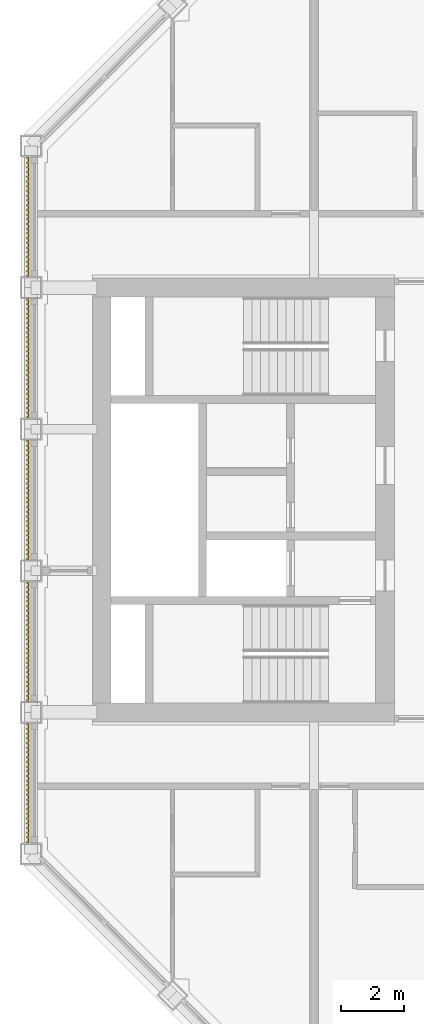
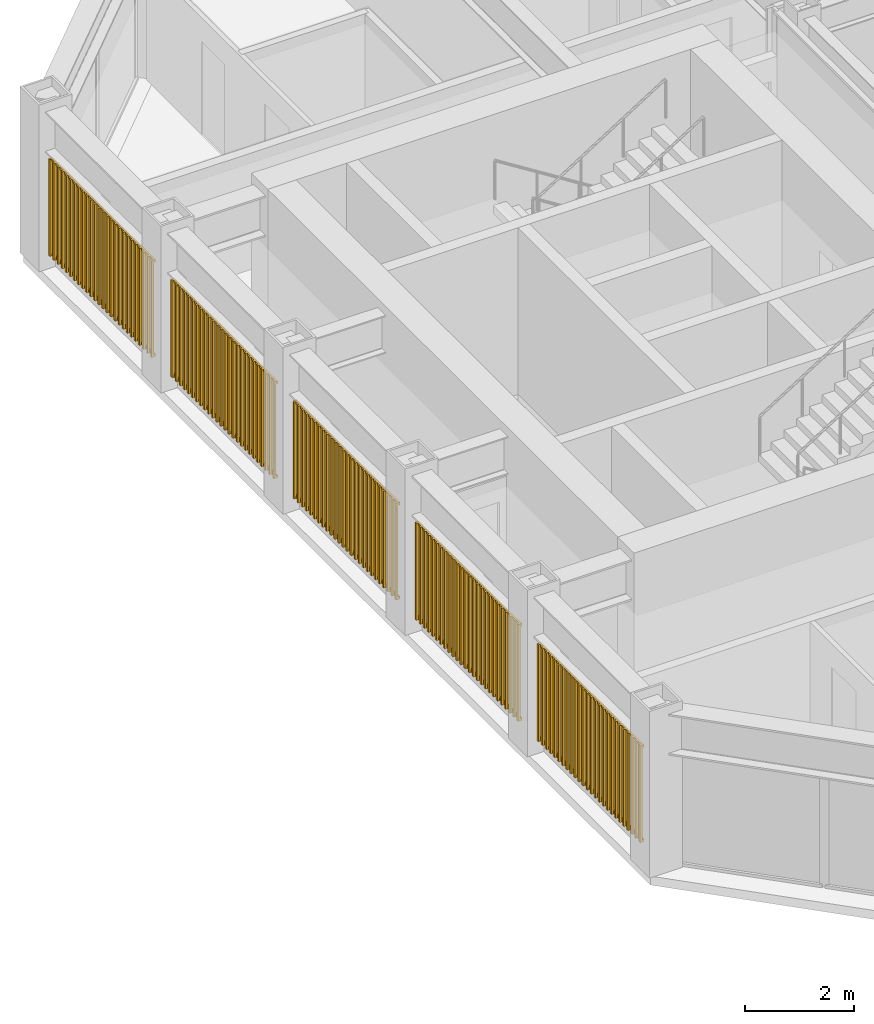
# One storey, part 15 of 18: 1 shading device.
"""IFC4 building model written with IfcOpenShell, lengths in metres."""

from ifc_helpers import new_model, si_unit, direction, frame, origin, origin_2d, place, context, subcontext, project, spatial, rectangle, extrude, material, type_object, element, save


model = new_model("IFC4")

# Units and contexts
model_context = context("Model", 3, precision=1e-05, world=origin(), true_north=direction((0.0, 1.0)))
body_context = subcontext(model_context, "Body", "Model", "MODEL_VIEW")
ifc_project = project(units=[si_unit("LENGTHUNIT", "METRE"), si_unit("AREAUNIT", "SQUARE_METRE"), si_unit("VOLUMEUNIT", "CUBIC_METRE"), si_unit("PLANEANGLEUNIT", "RADIAN"), si_unit("MASSUNIT", "GRAM", prefix="KILO")], contexts=[model_context])

# Site, building, storey
site_placement = place(None, origin())
site = spatial("IfcSite", under=ifc_project, at=site_placement, CompositionType="ELEMENT")
building_placement = place(site_placement, origin())
building = spatial("IfcBuilding", under=site, at=building_placement, Name="Msasa Ring Tower", CompositionType="ELEMENT")
storey_placement = place(building_placement, frame((0.0, 0.0, 208.300048828125)))
storey = spatial("IfcBuildingStorey", under=building, at=storey_placement, Name="L54", CompositionType="ELEMENT", Elevation=208.300048828125)

# Shading device
ifc_material = material(Name="Extruded terracotta on aluminium carriers", Category="masonry")
shading_device_type = type_object("IfcShadingDeviceType", Name="BS1 TERRACOTTA BAGUETTE SCREEN 50x50 AT 150", PredefinedType="USERDEFINED", material=ifc_material)
shading_device_placement = place(storey_placement, origin())
element("IfcShadingDevice", 1, at=shading_device_placement, inside=storey, type_object=shading_device_type, Name="Terracotta baguette screen W L54", ObjectType="BAGUETTE", PredefinedType="USERDEFINED", context=body_context, shape_type="SweptSolid", body=[
    extrude(rectangle(XDim=0.06005859375, YDim=0.0400390625, at=origin_2d()), frame((-20.330078125, -10.89990234375, 0.329833984375), z_axis=(0.0, 1.0, 0.0), x_axis=(0.0, 0.0, 1.0)), (0.0, 0.0, 1.0), 3.800048828125),
    extrude(rectangle(XDim=0.06005859375, YDim=0.0400390625, at=origin_2d()), frame((-20.330078125, -10.89990234375, 2.448974609375), z_axis=(0.0, 1.0, 0.0), x_axis=(0.0, 0.0, 1.0)), (0.0, 0.0, 1.0), 3.800048828125),
    extrude(rectangle(XDim=0.050048828125, YDim=0.050048828125, at=origin_2d()), frame((-20.3701171875, -10.875, 0.300048828125), z_axis=(0.0, 0.0, 1.0), x_axis=(0.0, 1.0, 0.0)), (0.0, 0.0, 1.0), 2.178955078125),
    extrude(rectangle(XDim=0.050048828125, YDim=0.050048828125, at=origin_2d()), frame((-20.3701171875, -10.72509765625, 0.300048828125), z_axis=(0.0, 0.0, 1.0), x_axis=(0.0, 1.0, 0.0)), (0.0, 0.0, 1.0), 2.178955078125),
    extrude(rectangle(XDim=0.050048828125, YDim=0.050048828125, at=origin_2d()), frame((-20.3701171875, -10.574951171875, 0.300048828125), z_axis=(0.0, 0.0, 1.0), x_axis=(0.0, 1.0, 0.0)), (0.0, 0.0, 1.0), 2.178955078125),
    extrude(rectangle(XDim=0.050048828125, YDim=0.050048828125, at=origin_2d()), frame((-20.3701171875, -10.425048828125, 0.300048828125), z_axis=(0.0, 0.0, 1.0), x_axis=(0.0, 1.0, 0.0)), (0.0, 0.0, 1.0), 2.178955078125),
    extrude(rectangle(XDim=0.050048828125, YDim=0.050048828125, at=origin_2d()), frame((-20.3701171875, -10.27490234375, 0.300048828125), z_axis=(0.0, 0.0, 1.0), x_axis=(0.0, 1.0, 0.0)), (0.0, 0.0, 1.0), 2.178955078125),
    extrude(rectangle(XDim=0.050048828125, YDim=0.050048828125, at=origin_2d()), frame((-20.3701171875, -10.125, 0.300048828125), z_axis=(0.0, 0.0, 1.0), x_axis=(0.0, 1.0, 0.0)), (0.0, 0.0, 1.0), 2.178955078125),
    extrude(rectangle(XDim=0.050048828125, YDim=0.050048828125, at=origin_2d()), frame((-20.3701171875, -9.97509765625, 0.300048828125), z_axis=(0.0, 0.0, 1.0), x_axis=(0.0, 1.0, 0.0)), (0.0, 0.0, 1.0), 2.178955078125),
    extrude(rectangle(XDim=0.050048828125, YDim=0.050048828125, at=origin_2d()), frame((-20.3701171875, -9.824951171875, 0.300048828125), z_axis=(0.0, 0.0, 1.0), x_axis=(0.0, 1.0, 0.0)), (0.0, 0.0, 1.0), 2.178955078125),
    extrude(rectangle(XDim=0.050048828125, YDim=0.050048828125, at=origin_2d()), frame((-20.3701171875, -9.675048828125, 0.300048828125), z_axis=(0.0, 0.0, 1.0), x_axis=(0.0, 1.0, 0.0)), (0.0, 0.0, 1.0), 2.178955078125),
    extrude(rectangle(XDim=0.050048828125, YDim=0.050048828125, at=origin_2d()), frame((-20.3701171875, -9.52490234375, 0.300048828125), z_axis=(0.0, 0.0, 1.0), x_axis=(0.0, 1.0, 0.0)), (0.0, 0.0, 1.0), 2.178955078125),
    extrude(rectangle(XDim=0.050048828125, YDim=0.050048828125, at=origin_2d()), frame((-20.3701171875, -9.375, 0.300048828125), z_axis=(0.0, 0.0, 1.0), x_axis=(0.0, 1.0, 0.0)), (0.0, 0.0, 1.0), 2.178955078125),
    extrude(rectangle(XDim=0.050048828125, YDim=0.050048828125, at=origin_2d()), frame((-20.3701171875, -9.22509765625, 0.300048828125), z_axis=(0.0, 0.0, 1.0), x_axis=(0.0, 1.0, 0.0)), (0.0, 0.0, 1.0), 2.178955078125),
    extrude(rectangle(XDim=0.050048828125, YDim=0.050048828125, at=origin_2d()), frame((-20.3701171875, -9.074951171875, 0.300048828125), z_axis=(0.0, 0.0, 1.0), x_axis=(0.0, 1.0, 0.0)), (0.0, 0.0, 1.0), 2.178955078125),
    extrude(rectangle(XDim=0.050048828125, YDim=0.050048828125, at=origin_2d()), frame((-20.3701171875, -8.925048828125, 0.300048828125), z_axis=(0.0, 0.0, 1.0), x_axis=(0.0, 1.0, 0.0)), (0.0, 0.0, 1.0), 2.178955078125),
    extrude(rectangle(XDim=0.050048828125, YDim=0.050048828125, at=origin_2d()), frame((-20.3701171875, -8.77490234375, 0.300048828125), z_axis=(0.0, 0.0, 1.0), x_axis=(0.0, 1.0, 0.0)), (0.0, 0.0, 1.0), 2.178955078125),
    extrude(rectangle(XDim=0.050048828125, YDim=0.050048828125, at=origin_2d()), frame((-20.3701171875, -8.625, 0.300048828125), z_axis=(0.0, 0.0, 1.0), x_axis=(0.0, 1.0, 0.0)), (0.0, 0.0, 1.0), 2.178955078125),
    extrude(rectangle(XDim=0.050048828125, YDim=0.050048828125, at=origin_2d()), frame((-20.3701171875, -8.47509765625, 0.300048828125), z_axis=(0.0, 0.0, 1.0), x_axis=(0.0, 1.0, 0.0)), (0.0, 0.0, 1.0), 2.178955078125),
    extrude(rectangle(XDim=0.050048828125, YDim=0.050048828125, at=origin_2d()), frame((-20.3701171875, -8.324951171875, 0.300048828125), z_axis=(0.0, 0.0, 1.0), x_axis=(0.0, 1.0, 0.0)), (0.0, 0.0, 1.0), 2.178955078125),
    extrude(rectangle(XDim=0.050048828125, YDim=0.050048828125, at=origin_2d()), frame((-20.3701171875, -8.175048828125, 0.300048828125), z_axis=(0.0, 0.0, 1.0), x_axis=(0.0, 1.0, 0.0)), (0.0, 0.0, 1.0), 2.178955078125),
    extrude(rectangle(XDim=0.050048828125, YDim=0.050048828125, at=origin_2d()), frame((-20.3701171875, -8.02490234375, 0.300048828125), z_axis=(0.0, 0.0, 1.0), x_axis=(0.0, 1.0, 0.0)), (0.0, 0.0, 1.0), 2.178955078125),
    extrude(rectangle(XDim=0.050048828125, YDim=0.050048828125, at=origin_2d()), frame((-20.3701171875, -7.875, 0.300048828125), z_axis=(0.0, 0.0, 1.0), x_axis=(0.0, 1.0, 0.0)), (0.0, 0.0, 1.0), 2.178955078125),
    extrude(rectangle(XDim=0.050048828125, YDim=0.050048828125, at=origin_2d()), frame((-20.3701171875, -7.72509765625, 0.300048828125), z_axis=(0.0, 0.0, 1.0), x_axis=(0.0, 1.0, 0.0)), (0.0, 0.0, 1.0), 2.178955078125),
    extrude(rectangle(XDim=0.050048828125, YDim=0.050048828125, at=origin_2d()), frame((-20.3701171875, -7.574951171875, 0.300048828125), z_axis=(0.0, 0.0, 1.0), x_axis=(0.0, 1.0, 0.0)), (0.0, 0.0, 1.0), 2.178955078125),
    extrude(rectangle(XDim=0.050048828125, YDim=0.050048828125, at=origin_2d()), frame((-20.3701171875, -7.425048828125, 0.300048828125), z_axis=(0.0, 0.0, 1.0), x_axis=(0.0, 1.0, 0.0)), (0.0, 0.0, 1.0), 2.178955078125),
    extrude(rectangle(XDim=0.050048828125, YDim=0.050048828125, at=origin_2d()), frame((-20.3701171875, -7.27490234375, 0.300048828125), z_axis=(0.0, 0.0, 1.0), x_axis=(0.0, 1.0, 0.0)), (0.0, 0.0, 1.0), 2.178955078125),
    extrude(rectangle(XDim=0.050048828125, YDim=0.050048828125, at=origin_2d()), frame((-20.3701171875, -7.125, 0.300048828125), z_axis=(0.0, 0.0, 1.0), x_axis=(0.0, 1.0, 0.0)), (0.0, 0.0, 1.0), 2.178955078125),
    extrude(rectangle(XDim=0.06005859375, YDim=0.0400390625, at=origin_2d()), frame((-20.330078125, -6.39990234375, 0.329833984375), z_axis=(0.0, 1.0, 0.0), x_axis=(0.0, 0.0, 1.0)), (0.0, 0.0, 1.0), 3.800048828125),
    extrude(rectangle(XDim=0.06005859375, YDim=0.0400390625, at=origin_2d()), frame((-20.330078125, -6.39990234375, 2.448974609375), z_axis=(0.0, 1.0, 0.0), x_axis=(0.0, 0.0, 1.0)), (0.0, 0.0, 1.0), 3.800048828125),
    extrude(rectangle(XDim=0.050048828125, YDim=0.050048828125, at=origin_2d()), frame((-20.3701171875, -6.375, 0.300048828125), z_axis=(0.0, 0.0, 1.0), x_axis=(0.0, 1.0, 0.0)), (0.0, 0.0, 1.0), 2.178955078125),
    extrude(rectangle(XDim=0.050048828125, YDim=0.050048828125, at=origin_2d()), frame((-20.3701171875, -6.22509765625, 0.300048828125), z_axis=(0.0, 0.0, 1.0), x_axis=(0.0, 1.0, 0.0)), (0.0, 0.0, 1.0), 2.178955078125),
    extrude(rectangle(XDim=0.050048828125, YDim=0.050048828125, at=origin_2d()), frame((-20.3701171875, -6.074951171875, 0.300048828125), z_axis=(0.0, 0.0, 1.0), x_axis=(0.0, 1.0, 0.0)), (0.0, 0.0, 1.0), 2.178955078125),
    extrude(rectangle(XDim=0.050048828125, YDim=0.050048828125, at=origin_2d()), frame((-20.3701171875, -5.925048828125, 0.300048828125), z_axis=(0.0, 0.0, 1.0), x_axis=(0.0, 1.0, 0.0)), (0.0, 0.0, 1.0), 2.178955078125),
    extrude(rectangle(XDim=0.050048828125, YDim=0.050048828125, at=origin_2d()), frame((-20.3701171875, -5.77490234375, 0.300048828125), z_axis=(0.0, 0.0, 1.0), x_axis=(0.0, 1.0, 0.0)), (0.0, 0.0, 1.0), 2.178955078125),
    extrude(rectangle(XDim=0.050048828125, YDim=0.050048828125, at=origin_2d()), frame((-20.3701171875, -5.625, 0.300048828125), z_axis=(0.0, 0.0, 1.0), x_axis=(0.0, 1.0, 0.0)), (0.0, 0.0, 1.0), 2.178955078125),
    extrude(rectangle(XDim=0.050048828125, YDim=0.050048828125, at=origin_2d()), frame((-20.3701171875, -5.47509765625, 0.300048828125), z_axis=(0.0, 0.0, 1.0), x_axis=(0.0, 1.0, 0.0)), (0.0, 0.0, 1.0), 2.178955078125),
    extrude(rectangle(XDim=0.050048828125, YDim=0.050048828125, at=origin_2d()), frame((-20.3701171875, -5.324951171875, 0.300048828125), z_axis=(0.0, 0.0, 1.0), x_axis=(0.0, 1.0, 0.0)), (0.0, 0.0, 1.0), 2.178955078125),
    extrude(rectangle(XDim=0.050048828125, YDim=0.050048828125, at=origin_2d()), frame((-20.3701171875, -5.175048828125, 0.300048828125), z_axis=(0.0, 0.0, 1.0), x_axis=(0.0, 1.0, 0.0)), (0.0, 0.0, 1.0), 2.178955078125),
    extrude(rectangle(XDim=0.050048828125, YDim=0.050048828125, at=origin_2d()), frame((-20.3701171875, -5.02490234375, 0.300048828125), z_axis=(0.0, 0.0, 1.0), x_axis=(0.0, 1.0, 0.0)), (0.0, 0.0, 1.0), 2.178955078125),
    extrude(rectangle(XDim=0.050048828125, YDim=0.050048828125, at=origin_2d()), frame((-20.3701171875, -4.875, 0.300048828125), z_axis=(0.0, 0.0, 1.0), x_axis=(0.0, 1.0, 0.0)), (0.0, 0.0, 1.0), 2.178955078125),
    extrude(rectangle(XDim=0.050048828125, YDim=0.050048828125, at=origin_2d()), frame((-20.3701171875, -4.72509765625, 0.300048828125), z_axis=(0.0, 0.0, 1.0), x_axis=(0.0, 1.0, 0.0)), (0.0, 0.0, 1.0), 2.178955078125),
    extrude(rectangle(XDim=0.050048828125, YDim=0.050048828125, at=origin_2d()), frame((-20.3701171875, -4.574951171875, 0.300048828125), z_axis=(0.0, 0.0, 1.0), x_axis=(0.0, 1.0, 0.0)), (0.0, 0.0, 1.0), 2.178955078125),
    extrude(rectangle(XDim=0.050048828125, YDim=0.050048828125, at=origin_2d()), frame((-20.3701171875, -4.425048828125, 0.300048828125), z_axis=(0.0, 0.0, 1.0), x_axis=(0.0, 1.0, 0.0)), (0.0, 0.0, 1.0), 2.178955078125),
    extrude(rectangle(XDim=0.050048828125, YDim=0.050048828125, at=origin_2d()), frame((-20.3701171875, -4.27490234375, 0.300048828125), z_axis=(0.0, 0.0, 1.0), x_axis=(0.0, 1.0, 0.0)), (0.0, 0.0, 1.0), 2.178955078125),
    extrude(rectangle(XDim=0.050048828125, YDim=0.050048828125, at=origin_2d()), frame((-20.3701171875, -4.125, 0.300048828125), z_axis=(0.0, 0.0, 1.0), x_axis=(0.0, 1.0, 0.0)), (0.0, 0.0, 1.0), 2.178955078125),
    extrude(rectangle(XDim=0.050048828125, YDim=0.050048828125, at=origin_2d()), frame((-20.3701171875, -3.97509765625, 0.300048828125), z_axis=(0.0, 0.0, 1.0), x_axis=(0.0, 1.0, 0.0)), (0.0, 0.0, 1.0), 2.178955078125),
    extrude(rectangle(XDim=0.050048828125, YDim=0.050048828125, at=origin_2d()), frame((-20.3701171875, -3.824951171875, 0.300048828125), z_axis=(0.0, 0.0, 1.0), x_axis=(0.0, 1.0, 0.0)), (0.0, 0.0, 1.0), 2.178955078125),
    extrude(rectangle(XDim=0.050048828125, YDim=0.050048828125, at=origin_2d()), frame((-20.3701171875, -3.675048828125, 0.300048828125), z_axis=(0.0, 0.0, 1.0), x_axis=(0.0, 1.0, 0.0)), (0.0, 0.0, 1.0), 2.178955078125),
    extrude(rectangle(XDim=0.050048828125, YDim=0.050048828125, at=origin_2d()), frame((-20.3701171875, -3.52490234375, 0.300048828125), z_axis=(0.0, 0.0, 1.0), x_axis=(0.0, 1.0, 0.0)), (0.0, 0.0, 1.0), 2.178955078125),
    extrude(rectangle(XDim=0.050048828125, YDim=0.050048828125, at=origin_2d()), frame((-20.3701171875, -3.375, 0.300048828125), z_axis=(0.0, 0.0, 1.0), x_axis=(0.0, 1.0, 0.0)), (0.0, 0.0, 1.0), 2.178955078125),
    extrude(rectangle(XDim=0.050048828125, YDim=0.050048828125, at=origin_2d()), frame((-20.3701171875, -3.22509765625, 0.300048828125), z_axis=(0.0, 0.0, 1.0), x_axis=(0.0, 1.0, 0.0)), (0.0, 0.0, 1.0), 2.178955078125),
    extrude(rectangle(XDim=0.050048828125, YDim=0.050048828125, at=origin_2d()), frame((-20.3701171875, -3.074951171875, 0.300048828125), z_axis=(0.0, 0.0, 1.0), x_axis=(0.0, 1.0, 0.0)), (0.0, 0.0, 1.0), 2.178955078125),
    extrude(rectangle(XDim=0.050048828125, YDim=0.050048828125, at=origin_2d()), frame((-20.3701171875, -2.925048828125, 0.300048828125), z_axis=(0.0, 0.0, 1.0), x_axis=(0.0, 1.0, 0.0)), (0.0, 0.0, 1.0), 2.178955078125),
    extrude(rectangle(XDim=0.050048828125, YDim=0.050048828125, at=origin_2d()), frame((-20.3701171875, -2.77490234375, 0.300048828125), z_axis=(0.0, 0.0, 1.0), x_axis=(0.0, 1.0, 0.0)), (0.0, 0.0, 1.0), 2.178955078125),
    extrude(rectangle(XDim=0.050048828125, YDim=0.050048828125, at=origin_2d()), frame((-20.3701171875, -2.625, 0.300048828125), z_axis=(0.0, 0.0, 1.0), x_axis=(0.0, 1.0, 0.0)), (0.0, 0.0, 1.0), 2.178955078125),
    extrude(rectangle(XDim=0.06005859375, YDim=0.0400390625, at=origin_2d()), frame((-20.330078125, -1.89990234375, 0.329833984375), z_axis=(0.0, 1.0, 0.0), x_axis=(0.0, 0.0, 1.0)), (0.0, 0.0, 1.0), 3.800048828125),
    extrude(rectangle(XDim=0.06005859375, YDim=0.0400390625, at=origin_2d()), frame((-20.330078125, -1.89990234375, 2.448974609375), z_axis=(0.0, 1.0, 0.0), x_axis=(0.0, 0.0, 1.0)), (0.0, 0.0, 1.0), 3.800048828125),
    extrude(rectangle(XDim=0.050048828125, YDim=0.050048828125, at=origin_2d()), frame((-20.3701171875, -1.875, 0.300048828125), z_axis=(0.0, 0.0, 1.0), x_axis=(0.0, 1.0, 0.0)), (0.0, 0.0, 1.0), 2.178955078125),
    extrude(rectangle(XDim=0.050048828125, YDim=0.050048828125, at=origin_2d()), frame((-20.3701171875, -1.72509765625, 0.300048828125), z_axis=(0.0, 0.0, 1.0), x_axis=(0.0, 1.0, 0.0)), (0.0, 0.0, 1.0), 2.178955078125),
    extrude(rectangle(XDim=0.050048828125, YDim=0.050048828125, at=origin_2d()), frame((-20.3701171875, -1.574951171875, 0.300048828125), z_axis=(0.0, 0.0, 1.0), x_axis=(0.0, 1.0, 0.0)), (0.0, 0.0, 1.0), 2.178955078125),
    extrude(rectangle(XDim=0.050048828125, YDim=0.050048828125, at=origin_2d()), frame((-20.3701171875, -1.425048828125, 0.300048828125), z_axis=(0.0, 0.0, 1.0), x_axis=(0.0, 1.0, 0.0)), (0.0, 0.0, 1.0), 2.178955078125),
    extrude(rectangle(XDim=0.050048828125, YDim=0.050048828125, at=origin_2d()), frame((-20.3701171875, -1.27490234375, 0.300048828125), z_axis=(0.0, 0.0, 1.0), x_axis=(0.0, 1.0, 0.0)), (0.0, 0.0, 1.0), 2.178955078125),
    extrude(rectangle(XDim=0.050048828125, YDim=0.050048828125, at=origin_2d()), frame((-20.3701171875, -1.125, 0.300048828125), z_axis=(0.0, 0.0, 1.0), x_axis=(0.0, 1.0, 0.0)), (0.0, 0.0, 1.0), 2.178955078125),
    extrude(rectangle(XDim=0.050048828125, YDim=0.050048828125, at=origin_2d()), frame((-20.3701171875, -0.97509765625, 0.300048828125), z_axis=(0.0, 0.0, 1.0), x_axis=(0.0, 1.0, 0.0)), (0.0, 0.0, 1.0), 2.178955078125),
    extrude(rectangle(XDim=0.050048828125, YDim=0.050048828125, at=origin_2d()), frame((-20.3701171875, -0.824951171875, 0.300048828125), z_axis=(0.0, 0.0, 1.0), x_axis=(0.0, 1.0, 0.0)), (0.0, 0.0, 1.0), 2.178955078125),
    extrude(rectangle(XDim=0.050048828125, YDim=0.050048828125, at=origin_2d()), frame((-20.3701171875, -0.675048828125, 0.300048828125), z_axis=(0.0, 0.0, 1.0), x_axis=(0.0, 1.0, 0.0)), (0.0, 0.0, 1.0), 2.178955078125),
    extrude(rectangle(XDim=0.050048828125, YDim=0.050048828125, at=origin_2d()), frame((-20.3701171875, -0.52490234375, 0.300048828125), z_axis=(0.0, 0.0, 1.0), x_axis=(0.0, 1.0, 0.0)), (0.0, 0.0, 1.0), 2.178955078125),
    extrude(rectangle(XDim=0.050048828125, YDim=0.050048828125, at=origin_2d()), frame((-20.3701171875, -0.375, 0.300048828125), z_axis=(0.0, 0.0, 1.0), x_axis=(0.0, 1.0, 0.0)), (0.0, 0.0, 1.0), 2.178955078125),
    extrude(rectangle(XDim=0.050048828125, YDim=0.050048828125, at=origin_2d()), frame((-20.3701171875, -0.22509765625, 0.300048828125), z_axis=(0.0, 0.0, 1.0), x_axis=(0.0, 1.0, 0.0)), (0.0, 0.0, 1.0), 2.178955078125),
    extrude(rectangle(XDim=0.050048828125, YDim=0.050048828125, at=origin_2d()), frame((-20.3701171875, -0.074951171875, 0.300048828125), z_axis=(0.0, 0.0, 1.0), x_axis=(0.0, 1.0, 0.0)), (0.0, 0.0, 1.0), 2.178955078125),
    extrude(rectangle(XDim=0.050048828125, YDim=0.050048828125, at=origin_2d()), frame((-20.3701171875, 0.074951171875, 0.300048828125), z_axis=(0.0, 0.0, 1.0), x_axis=(0.0, 1.0, 0.0)), (0.0, 0.0, 1.0), 2.178955078125),
    extrude(rectangle(XDim=0.050048828125, YDim=0.050048828125, at=origin_2d()), frame((-20.3701171875, 0.22509765625, 0.300048828125), z_axis=(0.0, 0.0, 1.0), x_axis=(0.0, 1.0, 0.0)), (0.0, 0.0, 1.0), 2.178955078125),
    extrude(rectangle(XDim=0.050048828125, YDim=0.050048828125, at=origin_2d()), frame((-20.3701171875, 0.375, 0.300048828125), z_axis=(0.0, 0.0, 1.0), x_axis=(0.0, 1.0, 0.0)), (0.0, 0.0, 1.0), 2.178955078125),
    extrude(rectangle(XDim=0.050048828125, YDim=0.050048828125, at=origin_2d()), frame((-20.3701171875, 0.52490234375, 0.300048828125), z_axis=(0.0, 0.0, 1.0), x_axis=(0.0, 1.0, 0.0)), (0.0, 0.0, 1.0), 2.178955078125),
    extrude(rectangle(XDim=0.050048828125, YDim=0.050048828125, at=origin_2d()), frame((-20.3701171875, 0.675048828125, 0.300048828125), z_axis=(0.0, 0.0, 1.0), x_axis=(0.0, 1.0, 0.0)), (0.0, 0.0, 1.0), 2.178955078125),
    extrude(rectangle(XDim=0.050048828125, YDim=0.050048828125, at=origin_2d()), frame((-20.3701171875, 0.824951171875, 0.300048828125), z_axis=(0.0, 0.0, 1.0), x_axis=(0.0, 1.0, 0.0)), (0.0, 0.0, 1.0), 2.178955078125),
    extrude(rectangle(XDim=0.050048828125, YDim=0.050048828125, at=origin_2d()), frame((-20.3701171875, 0.97509765625, 0.300048828125), z_axis=(0.0, 0.0, 1.0), x_axis=(0.0, 1.0, 0.0)), (0.0, 0.0, 1.0), 2.178955078125),
    extrude(rectangle(XDim=0.050048828125, YDim=0.050048828125, at=origin_2d()), frame((-20.3701171875, 1.125, 0.300048828125), z_axis=(0.0, 0.0, 1.0), x_axis=(0.0, 1.0, 0.0)), (0.0, 0.0, 1.0), 2.178955078125),
    extrude(rectangle(XDim=0.050048828125, YDim=0.050048828125, at=origin_2d()), frame((-20.3701171875, 1.27490234375, 0.300048828125), z_axis=(0.0, 0.0, 1.0), x_axis=(0.0, 1.0, 0.0)), (0.0, 0.0, 1.0), 2.178955078125),
    extrude(rectangle(XDim=0.050048828125, YDim=0.050048828125, at=origin_2d()), frame((-20.3701171875, 1.425048828125, 0.300048828125), z_axis=(0.0, 0.0, 1.0), x_axis=(0.0, 1.0, 0.0)), (0.0, 0.0, 1.0), 2.178955078125),
    extrude(rectangle(XDim=0.050048828125, YDim=0.050048828125, at=origin_2d()), frame((-20.3701171875, 1.574951171875, 0.300048828125), z_axis=(0.0, 0.0, 1.0), x_axis=(0.0, 1.0, 0.0)), (0.0, 0.0, 1.0), 2.178955078125),
    extrude(rectangle(XDim=0.050048828125, YDim=0.050048828125, at=origin_2d()), frame((-20.3701171875, 1.72509765625, 0.300048828125), z_axis=(0.0, 0.0, 1.0), x_axis=(0.0, 1.0, 0.0)), (0.0, 0.0, 1.0), 2.178955078125),
    extrude(rectangle(XDim=0.050048828125, YDim=0.050048828125, at=origin_2d()), frame((-20.3701171875, 1.875, 0.300048828125), z_axis=(0.0, 0.0, 1.0), x_axis=(0.0, 1.0, 0.0)), (0.0, 0.0, 1.0), 2.178955078125),
    extrude(rectangle(XDim=0.06005859375, YDim=0.0400390625, at=origin_2d()), frame((-20.330078125, 2.60009765625, 0.329833984375), z_axis=(0.0, 1.0, 0.0), x_axis=(0.0, 0.0, 1.0)), (0.0, 0.0, 1.0), 3.800048828125),
    extrude(rectangle(XDim=0.06005859375, YDim=0.0400390625, at=origin_2d()), frame((-20.330078125, 2.60009765625, 2.448974609375), z_axis=(0.0, 1.0, 0.0), x_axis=(0.0, 0.0, 1.0)), (0.0, 0.0, 1.0), 3.800048828125),
    extrude(rectangle(XDim=0.050048828125, YDim=0.050048828125, at=origin_2d()), frame((-20.3701171875, 2.625, 0.300048828125), z_axis=(0.0, 0.0, 1.0), x_axis=(0.0, 1.0, 0.0)), (0.0, 0.0, 1.0), 2.178955078125),
    extrude(rectangle(XDim=0.050048828125, YDim=0.050048828125, at=origin_2d()), frame((-20.3701171875, 2.77490234375, 0.300048828125), z_axis=(0.0, 0.0, 1.0), x_axis=(0.0, 1.0, 0.0)), (0.0, 0.0, 1.0), 2.178955078125),
    extrude(rectangle(XDim=0.050048828125, YDim=0.050048828125, at=origin_2d()), frame((-20.3701171875, 2.925048828125, 0.300048828125), z_axis=(0.0, 0.0, 1.0), x_axis=(0.0, 1.0, 0.0)), (0.0, 0.0, 1.0), 2.178955078125),
    extrude(rectangle(XDim=0.050048828125, YDim=0.050048828125, at=origin_2d()), frame((-20.3701171875, 3.074951171875, 0.300048828125), z_axis=(0.0, 0.0, 1.0), x_axis=(0.0, 1.0, 0.0)), (0.0, 0.0, 1.0), 2.178955078125),
    extrude(rectangle(XDim=0.050048828125, YDim=0.050048828125, at=origin_2d()), frame((-20.3701171875, 3.22509765625, 0.300048828125), z_axis=(0.0, 0.0, 1.0), x_axis=(0.0, 1.0, 0.0)), (0.0, 0.0, 1.0), 2.178955078125),
    extrude(rectangle(XDim=0.050048828125, YDim=0.050048828125, at=origin_2d()), frame((-20.3701171875, 3.375, 0.300048828125), z_axis=(0.0, 0.0, 1.0), x_axis=(0.0, 1.0, 0.0)), (0.0, 0.0, 1.0), 2.178955078125),
    extrude(rectangle(XDim=0.050048828125, YDim=0.050048828125, at=origin_2d()), frame((-20.3701171875, 3.52490234375, 0.300048828125), z_axis=(0.0, 0.0, 1.0), x_axis=(0.0, 1.0, 0.0)), (0.0, 0.0, 1.0), 2.178955078125),
    extrude(rectangle(XDim=0.050048828125, YDim=0.050048828125, at=origin_2d()), frame((-20.3701171875, 3.675048828125, 0.300048828125), z_axis=(0.0, 0.0, 1.0), x_axis=(0.0, 1.0, 0.0)), (0.0, 0.0, 1.0), 2.178955078125),
    extrude(rectangle(XDim=0.050048828125, YDim=0.050048828125, at=origin_2d()), frame((-20.3701171875, 3.824951171875, 0.300048828125), z_axis=(0.0, 0.0, 1.0), x_axis=(0.0, 1.0, 0.0)), (0.0, 0.0, 1.0), 2.178955078125),
    extrude(rectangle(XDim=0.050048828125, YDim=0.050048828125, at=origin_2d()), frame((-20.3701171875, 3.97509765625, 0.300048828125), z_axis=(0.0, 0.0, 1.0), x_axis=(0.0, 1.0, 0.0)), (0.0, 0.0, 1.0), 2.178955078125),
    extrude(rectangle(XDim=0.050048828125, YDim=0.050048828125, at=origin_2d()), frame((-20.3701171875, 4.125, 0.300048828125), z_axis=(0.0, 0.0, 1.0), x_axis=(0.0, 1.0, 0.0)), (0.0, 0.0, 1.0), 2.178955078125),
    extrude(rectangle(XDim=0.050048828125, YDim=0.050048828125, at=origin_2d()), frame((-20.3701171875, 4.27490234375, 0.300048828125), z_axis=(0.0, 0.0, 1.0), x_axis=(0.0, 1.0, 0.0)), (0.0, 0.0, 1.0), 2.178955078125),
    extrude(rectangle(XDim=0.050048828125, YDim=0.050048828125, at=origin_2d()), frame((-20.3701171875, 4.425048828125, 0.300048828125), z_axis=(0.0, 0.0, 1.0), x_axis=(0.0, 1.0, 0.0)), (0.0, 0.0, 1.0), 2.178955078125),
    extrude(rectangle(XDim=0.050048828125, YDim=0.050048828125, at=origin_2d()), frame((-20.3701171875, 4.574951171875, 0.300048828125), z_axis=(0.0, 0.0, 1.0), x_axis=(0.0, 1.0, 0.0)), (0.0, 0.0, 1.0), 2.178955078125),
    extrude(rectangle(XDim=0.050048828125, YDim=0.050048828125, at=origin_2d()), frame((-20.3701171875, 4.72509765625, 0.300048828125), z_axis=(0.0, 0.0, 1.0), x_axis=(0.0, 1.0, 0.0)), (0.0, 0.0, 1.0), 2.178955078125),
    extrude(rectangle(XDim=0.050048828125, YDim=0.050048828125, at=origin_2d()), frame((-20.3701171875, 4.875, 0.300048828125), z_axis=(0.0, 0.0, 1.0), x_axis=(0.0, 1.0, 0.0)), (0.0, 0.0, 1.0), 2.178955078125),
    extrude(rectangle(XDim=0.050048828125, YDim=0.050048828125, at=origin_2d()), frame((-20.3701171875, 5.02490234375, 0.300048828125), z_axis=(0.0, 0.0, 1.0), x_axis=(0.0, 1.0, 0.0)), (0.0, 0.0, 1.0), 2.178955078125),
    extrude(rectangle(XDim=0.050048828125, YDim=0.050048828125, at=origin_2d()), frame((-20.3701171875, 5.175048828125, 0.300048828125), z_axis=(0.0, 0.0, 1.0), x_axis=(0.0, 1.0, 0.0)), (0.0, 0.0, 1.0), 2.178955078125),
    extrude(rectangle(XDim=0.050048828125, YDim=0.050048828125, at=origin_2d()), frame((-20.3701171875, 5.324951171875, 0.300048828125), z_axis=(0.0, 0.0, 1.0), x_axis=(0.0, 1.0, 0.0)), (0.0, 0.0, 1.0), 2.178955078125),
    extrude(rectangle(XDim=0.050048828125, YDim=0.050048828125, at=origin_2d()), frame((-20.3701171875, 5.47509765625, 0.300048828125), z_axis=(0.0, 0.0, 1.0), x_axis=(0.0, 1.0, 0.0)), (0.0, 0.0, 1.0), 2.178955078125),
    extrude(rectangle(XDim=0.050048828125, YDim=0.050048828125, at=origin_2d()), frame((-20.3701171875, 5.625, 0.300048828125), z_axis=(0.0, 0.0, 1.0), x_axis=(0.0, 1.0, 0.0)), (0.0, 0.0, 1.0), 2.178955078125),
    extrude(rectangle(XDim=0.050048828125, YDim=0.050048828125, at=origin_2d()), frame((-20.3701171875, 5.77490234375, 0.300048828125), z_axis=(0.0, 0.0, 1.0), x_axis=(0.0, 1.0, 0.0)), (0.0, 0.0, 1.0), 2.178955078125),
    extrude(rectangle(XDim=0.050048828125, YDim=0.050048828125, at=origin_2d()), frame((-20.3701171875, 5.925048828125, 0.300048828125), z_axis=(0.0, 0.0, 1.0), x_axis=(0.0, 1.0, 0.0)), (0.0, 0.0, 1.0), 2.178955078125),
    extrude(rectangle(XDim=0.050048828125, YDim=0.050048828125, at=origin_2d()), frame((-20.3701171875, 6.074951171875, 0.300048828125), z_axis=(0.0, 0.0, 1.0), x_axis=(0.0, 1.0, 0.0)), (0.0, 0.0, 1.0), 2.178955078125),
    extrude(rectangle(XDim=0.050048828125, YDim=0.050048828125, at=origin_2d()), frame((-20.3701171875, 6.22509765625, 0.300048828125), z_axis=(0.0, 0.0, 1.0), x_axis=(0.0, 1.0, 0.0)), (0.0, 0.0, 1.0), 2.178955078125),
    extrude(rectangle(XDim=0.050048828125, YDim=0.050048828125, at=origin_2d()), frame((-20.3701171875, 6.375, 0.300048828125), z_axis=(0.0, 0.0, 1.0), x_axis=(0.0, 1.0, 0.0)), (0.0, 0.0, 1.0), 2.178955078125),
    extrude(rectangle(XDim=0.06005859375, YDim=0.0400390625, at=origin_2d()), frame((-20.330078125, 7.10009765625, 0.329833984375), z_axis=(0.0, 1.0, 0.0), x_axis=(0.0, 0.0, 1.0)), (0.0, 0.0, 1.0), 3.800048828125),
    extrude(rectangle(XDim=0.06005859375, YDim=0.0400390625, at=origin_2d()), frame((-20.330078125, 7.10009765625, 2.448974609375), z_axis=(0.0, 1.0, 0.0), x_axis=(0.0, 0.0, 1.0)), (0.0, 0.0, 1.0), 3.800048828125),
    extrude(rectangle(XDim=0.050048828125, YDim=0.050048828125, at=origin_2d()), frame((-20.3701171875, 7.125, 0.300048828125), z_axis=(0.0, 0.0, 1.0), x_axis=(0.0, 1.0, 0.0)), (0.0, 0.0, 1.0), 2.178955078125),
    extrude(rectangle(XDim=0.050048828125, YDim=0.050048828125, at=origin_2d()), frame((-20.3701171875, 7.27490234375, 0.300048828125), z_axis=(0.0, 0.0, 1.0), x_axis=(0.0, 1.0, 0.0)), (0.0, 0.0, 1.0), 2.178955078125),
    extrude(rectangle(XDim=0.050048828125, YDim=0.050048828125, at=origin_2d()), frame((-20.3701171875, 7.425048828125, 0.300048828125), z_axis=(0.0, 0.0, 1.0), x_axis=(0.0, 1.0, 0.0)), (0.0, 0.0, 1.0), 2.178955078125),
    extrude(rectangle(XDim=0.050048828125, YDim=0.050048828125, at=origin_2d()), frame((-20.3701171875, 7.574951171875, 0.300048828125), z_axis=(0.0, 0.0, 1.0), x_axis=(0.0, 1.0, 0.0)), (0.0, 0.0, 1.0), 2.178955078125),
    extrude(rectangle(XDim=0.050048828125, YDim=0.050048828125, at=origin_2d()), frame((-20.3701171875, 7.72509765625, 0.300048828125), z_axis=(0.0, 0.0, 1.0), x_axis=(0.0, 1.0, 0.0)), (0.0, 0.0, 1.0), 2.178955078125),
    extrude(rectangle(XDim=0.050048828125, YDim=0.050048828125, at=origin_2d()), frame((-20.3701171875, 7.875, 0.300048828125), z_axis=(0.0, 0.0, 1.0), x_axis=(0.0, 1.0, 0.0)), (0.0, 0.0, 1.0), 2.178955078125),
    extrude(rectangle(XDim=0.050048828125, YDim=0.050048828125, at=origin_2d()), frame((-20.3701171875, 8.02490234375, 0.300048828125), z_axis=(0.0, 0.0, 1.0), x_axis=(0.0, 1.0, 0.0)), (0.0, 0.0, 1.0), 2.178955078125),
    extrude(rectangle(XDim=0.050048828125, YDim=0.050048828125, at=origin_2d()), frame((-20.3701171875, 8.175048828125, 0.300048828125), z_axis=(0.0, 0.0, 1.0), x_axis=(0.0, 1.0, 0.0)), (0.0, 0.0, 1.0), 2.178955078125),
    extrude(rectangle(XDim=0.050048828125, YDim=0.050048828125, at=origin_2d()), frame((-20.3701171875, 8.324951171875, 0.300048828125), z_axis=(0.0, 0.0, 1.0), x_axis=(0.0, 1.0, 0.0)), (0.0, 0.0, 1.0), 2.178955078125),
    extrude(rectangle(XDim=0.050048828125, YDim=0.050048828125, at=origin_2d()), frame((-20.3701171875, 8.47509765625, 0.300048828125), z_axis=(0.0, 0.0, 1.0), x_axis=(0.0, 1.0, 0.0)), (0.0, 0.0, 1.0), 2.178955078125),
    extrude(rectangle(XDim=0.050048828125, YDim=0.050048828125, at=origin_2d()), frame((-20.3701171875, 8.625, 0.300048828125), z_axis=(0.0, 0.0, 1.0), x_axis=(0.0, 1.0, 0.0)), (0.0, 0.0, 1.0), 2.178955078125),
    extrude(rectangle(XDim=0.050048828125, YDim=0.050048828125, at=origin_2d()), frame((-20.3701171875, 8.77490234375, 0.300048828125), z_axis=(0.0, 0.0, 1.0), x_axis=(0.0, 1.0, 0.0)), (0.0, 0.0, 1.0), 2.178955078125),
    extrude(rectangle(XDim=0.050048828125, YDim=0.050048828125, at=origin_2d()), frame((-20.3701171875, 8.925048828125, 0.300048828125), z_axis=(0.0, 0.0, 1.0), x_axis=(0.0, 1.0, 0.0)), (0.0, 0.0, 1.0), 2.178955078125),
    extrude(rectangle(XDim=0.050048828125, YDim=0.050048828125, at=origin_2d()), frame((-20.3701171875, 9.074951171875, 0.300048828125), z_axis=(0.0, 0.0, 1.0), x_axis=(0.0, 1.0, 0.0)), (0.0, 0.0, 1.0), 2.178955078125),
    extrude(rectangle(XDim=0.050048828125, YDim=0.050048828125, at=origin_2d()), frame((-20.3701171875, 9.22509765625, 0.300048828125), z_axis=(0.0, 0.0, 1.0), x_axis=(0.0, 1.0, 0.0)), (0.0, 0.0, 1.0), 2.178955078125),
    extrude(rectangle(XDim=0.050048828125, YDim=0.050048828125, at=origin_2d()), frame((-20.3701171875, 9.375, 0.300048828125), z_axis=(0.0, 0.0, 1.0), x_axis=(0.0, 1.0, 0.0)), (0.0, 0.0, 1.0), 2.178955078125),
    extrude(rectangle(XDim=0.050048828125, YDim=0.050048828125, at=origin_2d()), frame((-20.3701171875, 9.52490234375, 0.300048828125), z_axis=(0.0, 0.0, 1.0), x_axis=(0.0, 1.0, 0.0)), (0.0, 0.0, 1.0), 2.178955078125),
    extrude(rectangle(XDim=0.050048828125, YDim=0.050048828125, at=origin_2d()), frame((-20.3701171875, 9.675048828125, 0.300048828125), z_axis=(0.0, 0.0, 1.0), x_axis=(0.0, 1.0, 0.0)), (0.0, 0.0, 1.0), 2.178955078125),
    extrude(rectangle(XDim=0.050048828125, YDim=0.050048828125, at=origin_2d()), frame((-20.3701171875, 9.824951171875, 0.300048828125), z_axis=(0.0, 0.0, 1.0), x_axis=(0.0, 1.0, 0.0)), (0.0, 0.0, 1.0), 2.178955078125),
    extrude(rectangle(XDim=0.050048828125, YDim=0.050048828125, at=origin_2d()), frame((-20.3701171875, 9.97509765625, 0.300048828125), z_axis=(0.0, 0.0, 1.0), x_axis=(0.0, 1.0, 0.0)), (0.0, 0.0, 1.0), 2.178955078125),
    extrude(rectangle(XDim=0.050048828125, YDim=0.050048828125, at=origin_2d()), frame((-20.3701171875, 10.125, 0.300048828125), z_axis=(0.0, 0.0, 1.0), x_axis=(0.0, 1.0, 0.0)), (0.0, 0.0, 1.0), 2.178955078125),
    extrude(rectangle(XDim=0.050048828125, YDim=0.050048828125, at=origin_2d()), frame((-20.3701171875, 10.27490234375, 0.300048828125), z_axis=(0.0, 0.0, 1.0), x_axis=(0.0, 1.0, 0.0)), (0.0, 0.0, 1.0), 2.178955078125),
    extrude(rectangle(XDim=0.050048828125, YDim=0.050048828125, at=origin_2d()), frame((-20.3701171875, 10.425048828125, 0.300048828125), z_axis=(0.0, 0.0, 1.0), x_axis=(0.0, 1.0, 0.0)), (0.0, 0.0, 1.0), 2.178955078125),
    extrude(rectangle(XDim=0.050048828125, YDim=0.050048828125, at=origin_2d()), frame((-20.3701171875, 10.574951171875, 0.300048828125), z_axis=(0.0, 0.0, 1.0), x_axis=(0.0, 1.0, 0.0)), (0.0, 0.0, 1.0), 2.178955078125),
    extrude(rectangle(XDim=0.050048828125, YDim=0.050048828125, at=origin_2d()), frame((-20.3701171875, 10.72509765625, 0.300048828125), z_axis=(0.0, 0.0, 1.0), x_axis=(0.0, 1.0, 0.0)), (0.0, 0.0, 1.0), 2.178955078125),
    extrude(rectangle(XDim=0.050048828125, YDim=0.050048828125, at=origin_2d()), frame((-20.3701171875, 10.875, 0.300048828125), z_axis=(0.0, 0.0, 1.0), x_axis=(0.0, 1.0, 0.0)), (0.0, 0.0, 1.0), 2.178955078125),
])

save(model, "model.ifc")
